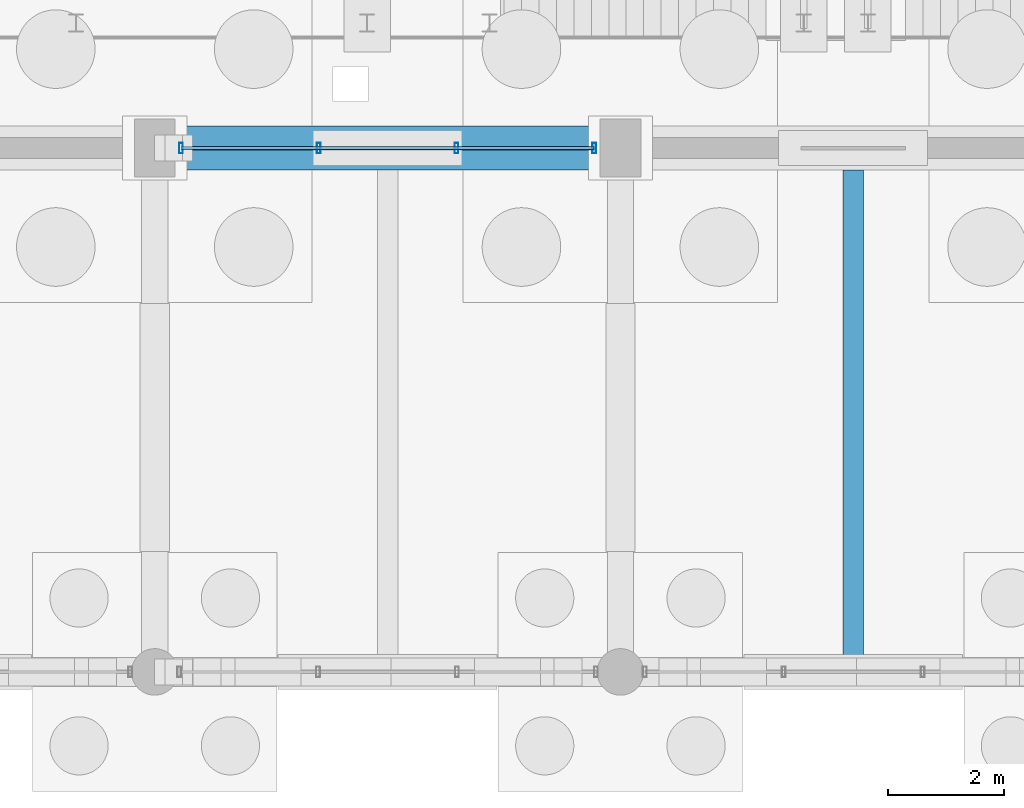
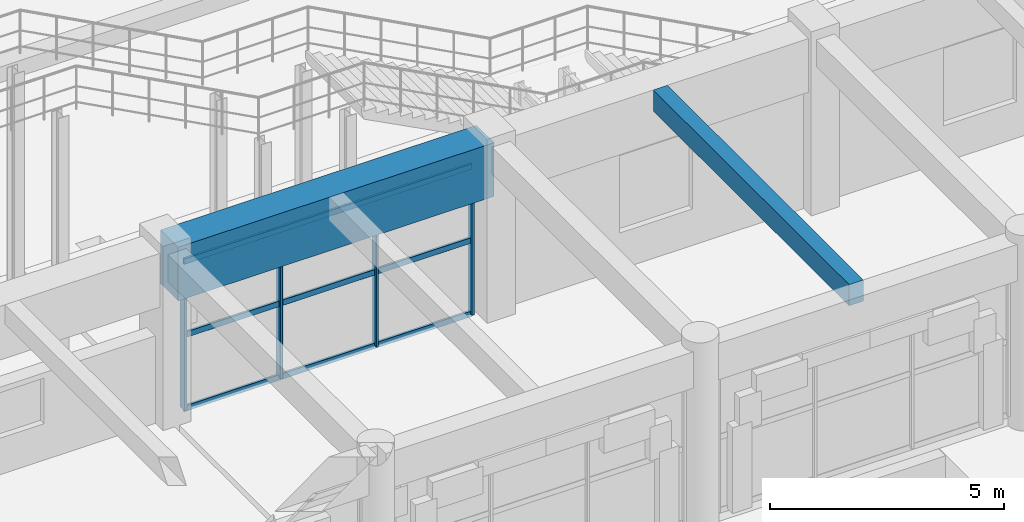
# One storey, part 79 of 147: 7 members, 2 beams, 1 element without a shape of its own.
"""IFC4 building model written with IfcOpenShell, lengths in metres."""

from ifc_helpers import new_model, si_unit, direction, frame, origin, origin_2d, place, context, subcontext, project, spatial, rectangle, hollow_rectangle, extrude, material, material_profile, profile_set, type_object, element, aggregate, save


model = new_model("IFC4")

# Units and contexts
model_context = context("Model", 3, precision=1e-05, world=origin(), true_north=direction((0.0, 1.0)))
body_context = subcontext(model_context, "Body", "Model", "MODEL_VIEW")
ifc_project = project(units=[si_unit("LENGTHUNIT", "METRE"), si_unit("AREAUNIT", "SQUARE_METRE"), si_unit("VOLUMEUNIT", "CUBIC_METRE"), si_unit("PLANEANGLEUNIT", "RADIAN"), si_unit("MASSUNIT", "GRAM", prefix="KILO")], contexts=[model_context])

# Site, building, storey
site_placement = place(None, origin())
site = spatial("IfcSite", under=ifc_project, at=site_placement, CompositionType="ELEMENT")
building_placement = place(site_placement, origin())
building = spatial("IfcBuilding", under=site, at=building_placement, Name="Varnabhumi Central Station", CompositionType="ELEMENT")
storey_placement = place(building_placement, origin())
storey = spatial("IfcBuildingStorey", under=building, at=storey_placement, Name="L00", CompositionType="ELEMENT", Elevation=0.0)

# Beams
ifc_material_1 = material(Name="Concrete M50", Category="concrete")
ifc_material_profile_1 = material_profile(ifc_material_1, rectangle(XDim=0.75, YDim=1.39990234375, at=origin_2d()), Name="Concrete M50", Category="concrete")
ifc_profile_set_1 = profile_set([ifc_material_profile_1], Name="Concrete M50")
beam_type_1 = type_object("IfcBeamType", Name="BM-RC-1400x750", PredefinedType="BEAM", material=ifc_profile_set_1)
beam_1_placement = place(storey_placement, frame((120.10009765625, 36.0, 3.85009765625), z_axis=(1.0, 0.0, 0.0), x_axis=(0.0, 1.0, 0.0)))
element("IfcBeam", 1, at=beam_1_placement, inside=storey, type_object=beam_type_1, Name="Beam L00-E:16-17", PredefinedType="BEAM", context=body_context, shape_type="SweptSolid", body=[
    extrude(rectangle(XDim=0.75, YDim=1.39990234375, at=origin_2d()), origin(), (0.0, 0.0, 1.0), 7.7998046875),
])
ifc_material_2 = material(Name="Concrete M40", Category="concrete")
ifc_material_profile_2 = material_profile(ifc_material_2, rectangle(XDim=0.35009765625, YDim=0.550048828125, at=origin_2d()), Name="Concrete M40", Category="concrete")
ifc_profile_set_2 = profile_set([ifc_material_profile_2], Name="Concrete M40")
beam_type_2 = type_object("IfcBeamType", Name="BM-RC-350x550", PredefinedType="JOIST", material=ifc_profile_set_2)
beam_2_placement = place(storey_placement, frame((132.0, 27.25, 4.27490234375), z_axis=(0.0, 1.0, 0.0), x_axis=(-1.0, 0.0, 0.0)))
element("IfcBeam", 2, at=beam_2_placement, inside=storey, type_object=beam_type_2, Name="Secondary Joist L00-17/18:D-E", PredefinedType="JOIST", context=body_context, shape_type="SweptSolid", body=[
    extrude(rectangle(XDim=0.35009765625, YDim=0.550048828125, at=origin_2d()), origin(), (0.0, 0.0, 1.0), 8.375),
])

# Curtain wall, members
ifc_material_3 = material(Name="Anodised aluminium 6063-T6", Category="aluminium")
curtain_wall_type = type_object("IfcCurtainWallType", Name="CW-SPINE-SCREEN-L0", PredefinedType="NOTDEFINED", material=ifc_material_3)
curtain_wall_placement = place(storey_placement, origin())
curtain_wall = element("IfcCurtainWall", 3, at=curtain_wall_placement, inside=storey, type_object=curtain_wall_type, Name="Curtain Wall CW-SS015", PredefinedType="NOTDEFINED")
ifc_material_profile_3 = material_profile(ifc_material_3, hollow_rectangle(XDim=0.06494140625, YDim=0.179931640625, WallThickness=0.00390625, InnerFilletRadius=0.001953125, OuterFilletRadius=0.006103515625, at=origin_2d()), Name="Anodised aluminium 6063-T6", Category="aluminium")
ifc_profile_set_3 = profile_set([ifc_material_profile_3], Name="Anodised aluminium 6063-T6")
member_type_1 = type_object("IfcMemberType", Name="CW-MUL-180", PredefinedType="MULLION", material=ifc_profile_set_3)
member_1_placement = place(storey_placement, frame((120.449951171875, 36.0, 0.0), z_axis=(0.0, 0.0, 1.0), x_axis=(1.0, 0.0, 0.0)))
member_1 = element("IfcMember", 4, at=member_1_placement, type_object=member_type_1, Name="Curtain Wall Mullion CW-SS015-M1", PredefinedType="MULLION", context=body_context, shape_type="SweptSolid", body=[
    extrude(hollow_rectangle(XDim=0.06494140625, YDim=0.179931640625, WallThickness=0.00390625, InnerFilletRadius=0.001953125, OuterFilletRadius=0.006103515625, at=origin_2d()), origin(), (0.0, 0.0, 1.0), 3.840087890625),
])
member_2_placement = place(storey_placement, frame((122.816650390625, 36.0, 0.0), z_axis=(0.0, 0.0, 1.0), x_axis=(1.0, 0.0, 0.0)))
member_2 = element("IfcMember", 5, at=member_2_placement, type_object=member_type_1, Name="Curtain Wall Mullion CW-SS015-M2", PredefinedType="MULLION", context=body_context, shape_type="SweptSolid", body=[
    extrude(hollow_rectangle(XDim=0.06494140625, YDim=0.179931640625, WallThickness=0.00390625, InnerFilletRadius=0.001953125, OuterFilletRadius=0.006103515625, at=origin_2d()), origin(), (0.0, 0.0, 1.0), 3.840087890625),
])
member_3_placement = place(storey_placement, frame((125.183349609375, 36.0, 0.0), z_axis=(0.0, 0.0, 1.0), x_axis=(1.0, 0.0, 0.0)))
member_3 = element("IfcMember", 6, at=member_3_placement, type_object=member_type_1, Name="Curtain Wall Mullion CW-SS015-M3", PredefinedType="MULLION", context=body_context, shape_type="SweptSolid", body=[
    extrude(hollow_rectangle(XDim=0.06494140625, YDim=0.179931640625, WallThickness=0.00390625, InnerFilletRadius=0.001953125, OuterFilletRadius=0.006103515625, at=origin_2d()), origin(), (0.0, 0.0, 1.0), 3.840087890625),
])
member_4_placement = place(storey_placement, frame((127.550048828125, 36.0, 0.0), z_axis=(0.0, 0.0, 1.0), x_axis=(1.0, 0.0, 0.0)))
member_4 = element("IfcMember", 7, at=member_4_placement, type_object=member_type_1, Name="Curtain Wall Mullion CW-SS015-M4", PredefinedType="MULLION", context=body_context, shape_type="SweptSolid", body=[
    extrude(hollow_rectangle(XDim=0.06494140625, YDim=0.179931640625, WallThickness=0.00390625, InnerFilletRadius=0.001953125, OuterFilletRadius=0.006103515625, at=origin_2d()), origin(), (0.0, 0.0, 1.0), 3.840087890625),
])
ifc_material_profile_4 = material_profile(ifc_material_3, hollow_rectangle(XDim=0.06005859375, YDim=0.14990234375, WallThickness=0.00390625, InnerFilletRadius=0.001953125, OuterFilletRadius=0.006103515625, at=origin_2d()), Name="Anodised aluminium 6063-T6", Category="aluminium")
ifc_profile_set_4 = profile_set([ifc_material_profile_4], Name="Anodised aluminium 6063-T6")
member_type_2 = type_object("IfcMemberType", Name="CW-TR-150", PredefinedType="USERDEFINED", material=ifc_profile_set_4)
member_5_placement = place(storey_placement, frame((120.449951171875, 36.0, 0.0), z_axis=(1.0, 0.0, 0.0), x_axis=(0.0, 1.0, 0.0)))
member_5 = element("IfcMember", 8, at=member_5_placement, type_object=member_type_2, Name="Curtain Wall Transom CW-SS015-T1", ObjectType="TRANSOM", PredefinedType="USERDEFINED", context=body_context, shape_type="SweptSolid", body=[
    extrude(hollow_rectangle(XDim=0.06005859375, YDim=0.14990234375, WallThickness=0.00390625, InnerFilletRadius=0.001953125, OuterFilletRadius=0.006103515625, at=origin_2d()), origin(), (0.0, 0.0, 1.0), 7.10009765625),
])
member_6_placement = place(storey_placement, frame((120.449951171875, 36.0, 1.919921875), z_axis=(1.0, 0.0, 0.0), x_axis=(0.0, 1.0, 0.0)))
member_6 = element("IfcMember", 9, at=member_6_placement, type_object=member_type_2, Name="Curtain Wall Transom CW-SS015-T2", ObjectType="TRANSOM", PredefinedType="USERDEFINED", context=body_context, shape_type="SweptSolid", body=[
    extrude(hollow_rectangle(XDim=0.06005859375, YDim=0.14990234375, WallThickness=0.00390625, InnerFilletRadius=0.001953125, OuterFilletRadius=0.006103515625, at=origin_2d()), origin(), (0.0, 0.0, 1.0), 7.10009765625),
])
member_7_placement = place(storey_placement, frame((120.449951171875, 36.0, 3.840087890625), z_axis=(1.0, 0.0, 0.0), x_axis=(0.0, 1.0, 0.0)))
member_7 = element("IfcMember", 10, at=member_7_placement, type_object=member_type_2, Name="Curtain Wall Transom CW-SS015-T3", ObjectType="TRANSOM", PredefinedType="USERDEFINED", context=body_context, shape_type="SweptSolid", body=[
    extrude(hollow_rectangle(XDim=0.06005859375, YDim=0.14990234375, WallThickness=0.00390625, InnerFilletRadius=0.001953125, OuterFilletRadius=0.006103515625, at=origin_2d()), origin(), (0.0, 0.0, 1.0), 7.10009765625),
])
aggregate(curtain_wall, [member_1, member_2, member_3, member_4, member_5, member_6, member_7])

save(model, "model.ifc")
